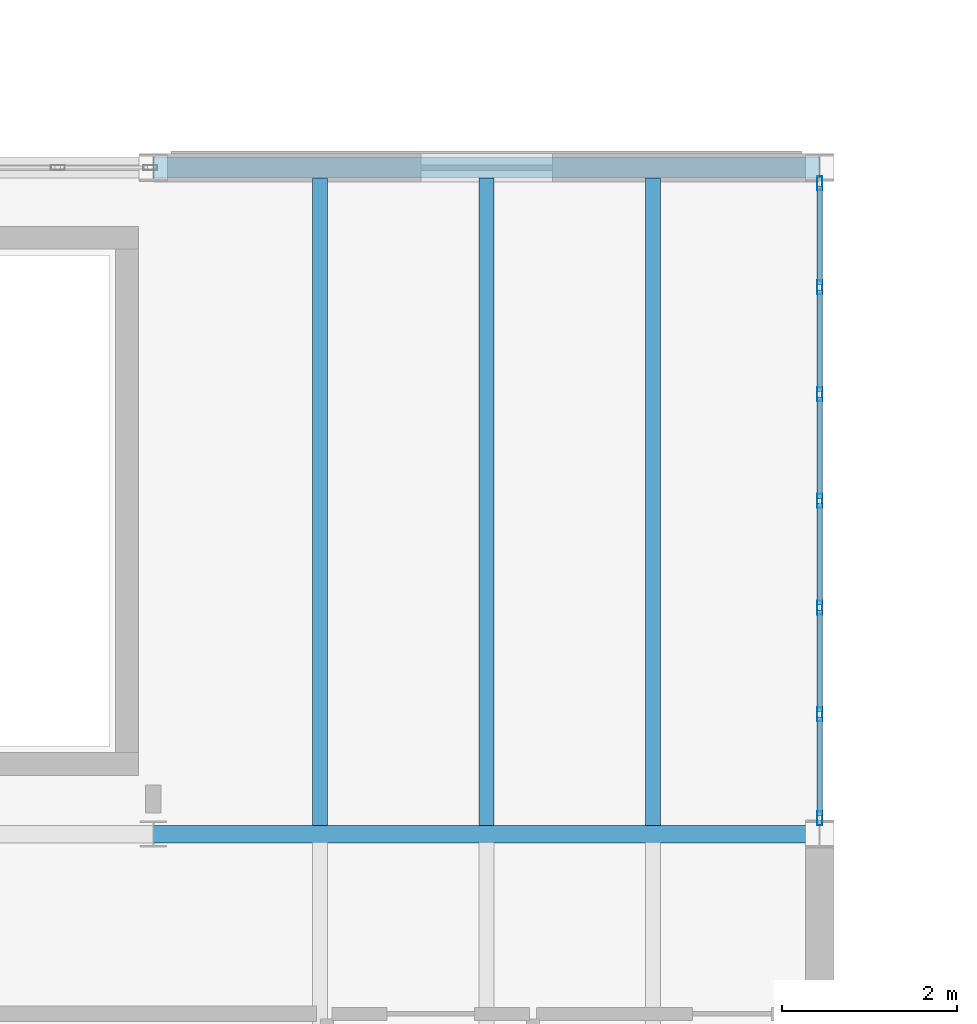
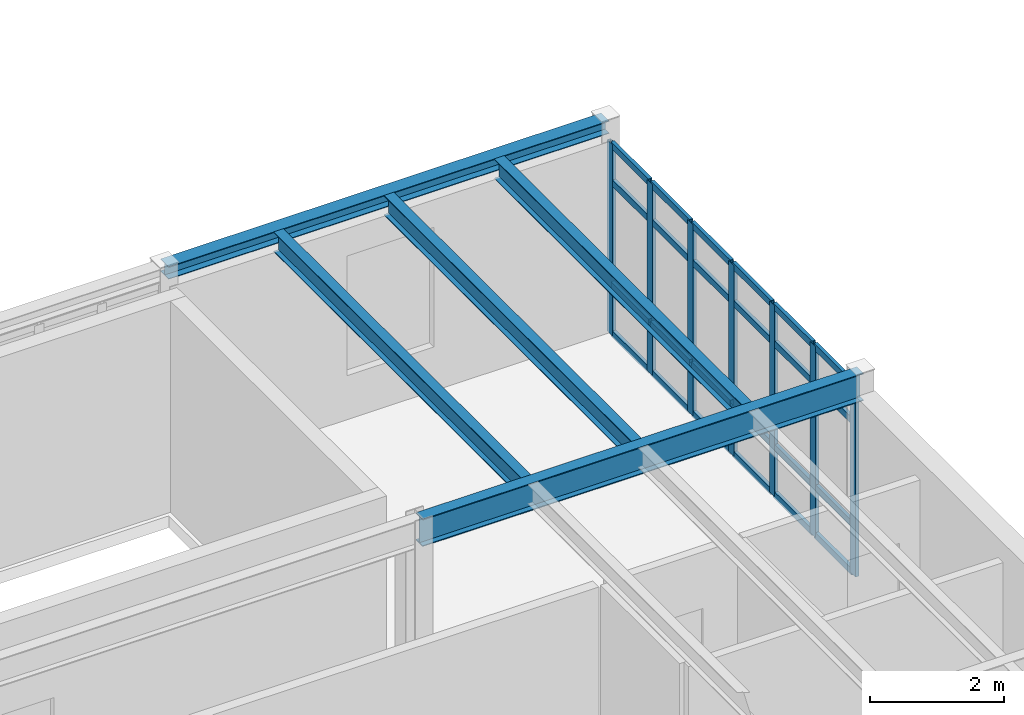
# One storey, part 42 of 114: 31 members, 5 beams, 1 element without a shape of its own.
"""IFC4 building model written with IfcOpenShell, lengths in metres."""

from ifc_helpers import new_model, si_unit, direction, frame, origin, origin_2d, place, context, subcontext, project, spatial, hollow_rectangle, i_section, extrude, material, layer, layer_set, material_profile, profile_set, type_object, element, aggregate, save


model = new_model("IFC4")

# Units and contexts
model_context = context("Model", 3, precision=1e-05, world=origin(), true_north=direction((0.0, 1.0)))
body_context = subcontext(model_context, "Body", "Model", "MODEL_VIEW")
ifc_project = project(units=[si_unit("LENGTHUNIT", "METRE"), si_unit("AREAUNIT", "SQUARE_METRE"), si_unit("VOLUMEUNIT", "CUBIC_METRE"), si_unit("PLANEANGLEUNIT", "RADIAN"), si_unit("MASSUNIT", "GRAM", prefix="KILO")], contexts=[model_context])

# Site, building, storey
site_placement = place(None, origin())
site = spatial("IfcSite", under=ifc_project, at=site_placement, CompositionType="ELEMENT")
building_placement = place(site_placement, origin())
building = spatial("IfcBuilding", under=site, at=building_placement, Name="Montecoro Central Library", CompositionType="ELEMENT")
storey_placement = place(building_placement, frame((0.0, 0.0, 13.260009765625)))
storey = spatial("IfcBuildingStorey", under=building, at=storey_placement, Name="L03", CompositionType="ELEMENT", Elevation=13.260009765625)

# Beams
ifc_material_1 = material(Name="Steel S355", Category="steel")
ifc_material_profile_1 = material_profile(ifc_material_1, i_section(OverallWidth=0.199951171875, OverallDepth=0.5, WebThickness=0.01025390625, FlangeThickness=0.01611328125, at=origin_2d()), Name="IPE 500")
ifc_profile_set_1 = profile_set([ifc_material_profile_1], Name="Steel S355")
beam_type_1 = type_object("IfcBeamType", Name="BM-G-IPE500", PredefinedType="USERDEFINED", material=ifc_profile_set_1)
beam_1_placement = place(storey_placement, frame((35.405029296875, 103.800048828125, 3.574951171875), z_axis=(1.0, 0.0, 0.0), x_axis=(0.0, 1.0, 0.0)))
element("IfcBeam", 1, at=beam_1_placement, inside=storey, type_object=beam_type_1, Name="V4-L03-BX-56-P", ObjectType="GIRDER", PredefinedType="USERDEFINED", context=body_context, shape_type="SweptSolid", body=[
    extrude(i_section(OverallWidth=0.199951171875, OverallDepth=0.5, WebThickness=0.01025390625, FlangeThickness=0.01611328125, at=origin_2d()), origin(), (0.0, 0.0, 1.0), 7.590087890625),
])
ifc_material_profile_2 = material_profile(ifc_material_1, i_section(OverallWidth=0.169921875, OverallDepth=0.360107421875, WebThickness=0.008056640625, FlangeThickness=0.0126953125, at=origin_2d()), Name="IPE 360")
ifc_profile_set_2 = profile_set([ifc_material_profile_2], Name="Steel S355")
beam_type_2 = type_object("IfcBeamType", Name="BM-J-IPE360", PredefinedType="JOIST", material=ifc_profile_set_2)
for number, where, z_axis, x_axis, name in (
    (2, (37.300048828125, 103.89697265625, 3.64501953125), (0.0, 1.0, 0.0), (-1.0, 0.0, 0.0), "V4-L03-JS-56-PQ-1"),
    (3, (39.199951171875, 103.89697265625, 3.64501953125), (0.0, 1.0, 0.0), (-1.0, 0.0, 0.0), "V4-L03-JS-56-PQ-2"),
    (4, (41.10009765625, 103.89697265625, 3.64501953125), (0.0, 1.0, 0.0), (-1.0, 0.0, 0.0), "V4-L03-JS-56-PQ-3"),
):
    element("IfcBeam", number, at=place(storey_placement, frame(where, z_axis=z_axis, x_axis=x_axis)), inside=storey, type_object=beam_type_2, Name=name, PredefinedType="JOIST", context=body_context, shape_type="SweptSolid", body=[
        extrude(i_section(OverallWidth=0.169921875, OverallDepth=0.360107421875, WebThickness=0.008056640625, FlangeThickness=0.0126953125, at=origin_2d()), origin(), (0.0, 0.0, 1.0), 7.385986328125),
    ])
ifc_material_profile_3 = material_profile(ifc_material_1, i_section(OverallWidth=0.239990234375, OverallDepth=0.22998046875, WebThickness=0.007568359375, FlangeThickness=0.011962890625, at=origin_2d()), Name="HEA 240")
ifc_profile_set_3 = profile_set([ifc_material_profile_3], Name="Steel S355")
beam_type_3 = type_object("IfcBeamType", Name="BM-SP-HEA240", PredefinedType="SPANDREL", material=ifc_profile_set_3)
beam_2_placement = place(storey_placement, frame((35.405029296875, 111.39990234375, 3.7099609375), z_axis=(1.0, 0.0, 0.0), x_axis=(0.0, 1.0, 0.0)))
element("IfcBeam", 5, at=beam_2_placement, inside=storey, type_object=beam_type_3, Name="V4-L03-BX-56-Q", PredefinedType="SPANDREL", context=body_context, shape_type="SweptSolid", body=[
    extrude(i_section(OverallWidth=0.239990234375, OverallDepth=0.22998046875, WebThickness=0.007568359375, FlangeThickness=0.011962890625, at=origin_2d()), origin(), (0.0, 0.0, 1.0), 7.590087890625),
])

# Curtain wall, members
ifc_material_2 = material(Name="Bronze-anodised aluminium and low-E glazing", Category="aluminium")
ifc_layer = layer(ifc_material_2, 0.159912109375)
ifc_layer_set = layer_set([ifc_layer], Name="Bronze-anodised aluminium and low-E glazing")
curtain_wall_type = type_object("IfcCurtainWallType", Name="CWT-050", PredefinedType="NOTDEFINED", material=ifc_layer_set)
curtain_wall_placement = place(storey_placement, origin())
curtain_wall = element("IfcCurtainWall", 6, at=curtain_wall_placement, inside=storey, type_object=curtain_wall_type, Name="V4-L03-CW-E3", PredefinedType="NOTDEFINED")
ifc_material_3 = material(Name="Bronze-anodised aluminium", Category="aluminium")
ifc_material_profile_4 = material_profile(ifc_material_3, hollow_rectangle(XDim=0.06005859375, YDim=0.159912109375, WallThickness=0.00390625, at=origin_2d()), Name="CWM 160x60x4.0")
ifc_profile_set_4 = profile_set([ifc_material_profile_4], Name="Bronze-anodised aluminium")
member_type_1 = type_object("IfcMemberType", Name="CWM-BRZ-60", PredefinedType="MULLION", material=ifc_profile_set_4)
member_1_placement = place(storey_placement, frame((43.0, 103.97802734375, 0.0), z_axis=(0.0, 0.0, 1.0), x_axis=(-1.0, 0.0, 0.0)))
member_1 = element("IfcMember", 7, at=member_1_placement, type_object=member_type_1, Name="CW-050 mullion 1", PredefinedType="MULLION", context=body_context, shape_type="SweptSolid", body=[
    extrude(hollow_rectangle(XDim=0.06005859375, YDim=0.159912109375, WallThickness=0.00390625, at=origin_2d()), origin(), (0.0, 0.0, 1.0), 3.47998046875),
])
member_2_placement = place(storey_placement, frame((43.0, 105.165283203125, 0.0), z_axis=(0.0, 0.0, 1.0), x_axis=(-1.0, 0.0, 0.0)))
member_2 = element("IfcMember", 8, at=member_2_placement, type_object=member_type_1, Name="CW-050 mullion 2", PredefinedType="MULLION", context=body_context, shape_type="SweptSolid", body=[
    extrude(hollow_rectangle(XDim=0.06005859375, YDim=0.159912109375, WallThickness=0.00390625, at=origin_2d()), origin(), (0.0, 0.0, 1.0), 3.47998046875),
])
member_3_placement = place(storey_placement, frame((43.0, 106.382568359375, 0.0), z_axis=(0.0, 0.0, 1.0), x_axis=(-1.0, 0.0, 0.0)))
member_3 = element("IfcMember", 9, at=member_3_placement, type_object=member_type_1, Name="CW-050 mullion 3", PredefinedType="MULLION", context=body_context, shape_type="SweptSolid", body=[
    extrude(hollow_rectangle(XDim=0.06005859375, YDim=0.159912109375, WallThickness=0.00390625, at=origin_2d()), origin(), (0.0, 0.0, 1.0), 3.47998046875),
])
member_4_placement = place(storey_placement, frame((43.0, 107.60009765625, 0.0), z_axis=(0.0, 0.0, 1.0), x_axis=(-1.0, 0.0, 0.0)))
member_4 = element("IfcMember", 10, at=member_4_placement, type_object=member_type_1, Name="CW-050 mullion 4", PredefinedType="MULLION", context=body_context, shape_type="SweptSolid", body=[
    extrude(hollow_rectangle(XDim=0.06005859375, YDim=0.159912109375, WallThickness=0.00390625, at=origin_2d()), origin(), (0.0, 0.0, 1.0), 3.47998046875),
])
member_5_placement = place(storey_placement, frame((43.0, 108.8173828125, 0.0), z_axis=(0.0, 0.0, 1.0), x_axis=(-1.0, 0.0, 0.0)))
member_5 = element("IfcMember", 11, at=member_5_placement, type_object=member_type_1, Name="CW-050 mullion 5", PredefinedType="MULLION", context=body_context, shape_type="SweptSolid", body=[
    extrude(hollow_rectangle(XDim=0.06005859375, YDim=0.159912109375, WallThickness=0.00390625, at=origin_2d()), origin(), (0.0, 0.0, 1.0), 3.47998046875),
])
member_6_placement = place(storey_placement, frame((43.0, 110.03466796875, 0.0), z_axis=(0.0, 0.0, 1.0), x_axis=(-1.0, 0.0, 0.0)))
member_6 = element("IfcMember", 12, at=member_6_placement, type_object=member_type_1, Name="CW-050 mullion 6", PredefinedType="MULLION", context=body_context, shape_type="SweptSolid", body=[
    extrude(hollow_rectangle(XDim=0.06005859375, YDim=0.159912109375, WallThickness=0.00390625, at=origin_2d()), origin(), (0.0, 0.0, 1.0), 3.47998046875),
])
member_7_placement = place(storey_placement, frame((43.0, 111.221923828125, 0.0), z_axis=(0.0, 0.0, 1.0), x_axis=(-1.0, 0.0, 0.0)))
member_7 = element("IfcMember", 13, at=member_7_placement, type_object=member_type_1, Name="CW-050 mullion 7", PredefinedType="MULLION", context=body_context, shape_type="SweptSolid", body=[
    extrude(hollow_rectangle(XDim=0.06005859375, YDim=0.159912109375, WallThickness=0.00390625, at=origin_2d()), origin(), (0.0, 0.0, 1.0), 3.47998046875),
])
ifc_material_profile_5 = material_profile(ifc_material_3, hollow_rectangle(XDim=0.06005859375, YDim=0.1201171875, WallThickness=0.00390625, at=origin_2d()), Name="CWT 120x60x4.0")
ifc_profile_set_5 = profile_set([ifc_material_profile_5], Name="Bronze-anodised aluminium")
member_type_2 = type_object("IfcMemberType", Name="CWT-BRZ-60", PredefinedType="USERDEFINED", material=ifc_profile_set_5)
member_8_placement = place(storey_placement, frame((43.0, 104.008056640625, 0.030029296875), z_axis=(0.0, 1.0, 0.0), x_axis=(-1.0, 0.0, 0.0)))
member_8 = element("IfcMember", 14, at=member_8_placement, type_object=member_type_2, Name="CW-050 transom 1.1", ObjectType="TRANSOM", PredefinedType="USERDEFINED", context=body_context, shape_type="SweptSolid", body=[
    extrude(hollow_rectangle(XDim=0.06005859375, YDim=0.1201171875, WallThickness=0.00390625, at=origin_2d()), origin(), (0.0, 0.0, 1.0), 1.127197265625),
])
member_9_placement = place(storey_placement, frame((43.0, 104.008056640625, 0.89990234375), z_axis=(0.0, 1.0, 0.0), x_axis=(-1.0, 0.0, 0.0)))
member_9 = element("IfcMember", 15, at=member_9_placement, type_object=member_type_2, Name="CW-050 transom 1.2", ObjectType="TRANSOM", PredefinedType="USERDEFINED", context=body_context, shape_type="SweptSolid", body=[
    extrude(hollow_rectangle(XDim=0.06005859375, YDim=0.1201171875, WallThickness=0.00390625, at=origin_2d()), origin(), (0.0, 0.0, 1.0), 1.127197265625),
])
member_10_placement = place(storey_placement, frame((43.0, 104.008056640625, 2.780029296875), z_axis=(0.0, 1.0, 0.0), x_axis=(-1.0, 0.0, 0.0)))
member_10 = element("IfcMember", 16, at=member_10_placement, type_object=member_type_2, Name="CW-050 transom 1.3", ObjectType="TRANSOM", PredefinedType="USERDEFINED", context=body_context, shape_type="SweptSolid", body=[
    extrude(hollow_rectangle(XDim=0.06005859375, YDim=0.1201171875, WallThickness=0.00390625, at=origin_2d()), origin(), (0.0, 0.0, 1.0), 1.127197265625),
])
member_11_placement = place(storey_placement, frame((43.0, 104.008056640625, 3.449951171875), z_axis=(0.0, 1.0, 0.0), x_axis=(-1.0, 0.0, 0.0)))
member_11 = element("IfcMember", 17, at=member_11_placement, type_object=member_type_2, Name="CW-050 transom 1.4", ObjectType="TRANSOM", PredefinedType="USERDEFINED", context=body_context, shape_type="SweptSolid", body=[
    extrude(hollow_rectangle(XDim=0.06005859375, YDim=0.1201171875, WallThickness=0.00390625, at=origin_2d()), origin(), (0.0, 0.0, 1.0), 1.127197265625),
])
member_12_placement = place(storey_placement, frame((43.0, 105.1953125, 0.030029296875), z_axis=(0.0, 1.0, 0.0), x_axis=(-1.0, 0.0, 0.0)))
member_12 = element("IfcMember", 18, at=member_12_placement, type_object=member_type_2, Name="CW-050 transom 2.1", ObjectType="TRANSOM", PredefinedType="USERDEFINED", context=body_context, shape_type="SweptSolid", body=[
    extrude(hollow_rectangle(XDim=0.06005859375, YDim=0.1201171875, WallThickness=0.00390625, at=origin_2d()), origin(), (0.0, 0.0, 1.0), 1.157470703125),
])
member_13_placement = place(storey_placement, frame((43.0, 105.1953125, 0.89990234375), z_axis=(0.0, 1.0, 0.0), x_axis=(-1.0, 0.0, 0.0)))
member_13 = element("IfcMember", 19, at=member_13_placement, type_object=member_type_2, Name="CW-050 transom 2.2", ObjectType="TRANSOM", PredefinedType="USERDEFINED", context=body_context, shape_type="SweptSolid", body=[
    extrude(hollow_rectangle(XDim=0.06005859375, YDim=0.1201171875, WallThickness=0.00390625, at=origin_2d()), origin(), (0.0, 0.0, 1.0), 1.157470703125),
])
member_14_placement = place(storey_placement, frame((43.0, 105.1953125, 2.780029296875), z_axis=(0.0, 1.0, 0.0), x_axis=(-1.0, 0.0, 0.0)))
member_14 = element("IfcMember", 20, at=member_14_placement, type_object=member_type_2, Name="CW-050 transom 2.3", ObjectType="TRANSOM", PredefinedType="USERDEFINED", context=body_context, shape_type="SweptSolid", body=[
    extrude(hollow_rectangle(XDim=0.06005859375, YDim=0.1201171875, WallThickness=0.00390625, at=origin_2d()), origin(), (0.0, 0.0, 1.0), 1.157470703125),
])
member_15_placement = place(storey_placement, frame((43.0, 105.1953125, 3.449951171875), z_axis=(0.0, 1.0, 0.0), x_axis=(-1.0, 0.0, 0.0)))
member_15 = element("IfcMember", 21, at=member_15_placement, type_object=member_type_2, Name="CW-050 transom 2.4", ObjectType="TRANSOM", PredefinedType="USERDEFINED", context=body_context, shape_type="SweptSolid", body=[
    extrude(hollow_rectangle(XDim=0.06005859375, YDim=0.1201171875, WallThickness=0.00390625, at=origin_2d()), origin(), (0.0, 0.0, 1.0), 1.157470703125),
])
member_16_placement = place(storey_placement, frame((43.0, 106.41259765625, 0.030029296875), z_axis=(0.0, 1.0, 0.0), x_axis=(-1.0, 0.0, 0.0)))
member_16 = element("IfcMember", 22, at=member_16_placement, type_object=member_type_2, Name="CW-050 transom 3.1", ObjectType="TRANSOM", PredefinedType="USERDEFINED", context=body_context, shape_type="SweptSolid", body=[
    extrude(hollow_rectangle(XDim=0.06005859375, YDim=0.1201171875, WallThickness=0.00390625, at=origin_2d()), origin(), (0.0, 0.0, 1.0), 1.157470703125),
])
member_17_placement = place(storey_placement, frame((43.0, 106.41259765625, 0.89990234375), z_axis=(0.0, 1.0, 0.0), x_axis=(-1.0, 0.0, 0.0)))
member_17 = element("IfcMember", 23, at=member_17_placement, type_object=member_type_2, Name="CW-050 transom 3.2", ObjectType="TRANSOM", PredefinedType="USERDEFINED", context=body_context, shape_type="SweptSolid", body=[
    extrude(hollow_rectangle(XDim=0.06005859375, YDim=0.1201171875, WallThickness=0.00390625, at=origin_2d()), origin(), (0.0, 0.0, 1.0), 1.157470703125),
])
member_18_placement = place(storey_placement, frame((43.0, 106.41259765625, 2.780029296875), z_axis=(0.0, 1.0, 0.0), x_axis=(-1.0, 0.0, 0.0)))
member_18 = element("IfcMember", 24, at=member_18_placement, type_object=member_type_2, Name="CW-050 transom 3.3", ObjectType="TRANSOM", PredefinedType="USERDEFINED", context=body_context, shape_type="SweptSolid", body=[
    extrude(hollow_rectangle(XDim=0.06005859375, YDim=0.1201171875, WallThickness=0.00390625, at=origin_2d()), origin(), (0.0, 0.0, 1.0), 1.157470703125),
])
member_19_placement = place(storey_placement, frame((43.0, 106.41259765625, 3.449951171875), z_axis=(0.0, 1.0, 0.0), x_axis=(-1.0, 0.0, 0.0)))
member_19 = element("IfcMember", 25, at=member_19_placement, type_object=member_type_2, Name="CW-050 transom 3.4", ObjectType="TRANSOM", PredefinedType="USERDEFINED", context=body_context, shape_type="SweptSolid", body=[
    extrude(hollow_rectangle(XDim=0.06005859375, YDim=0.1201171875, WallThickness=0.00390625, at=origin_2d()), origin(), (0.0, 0.0, 1.0), 1.157470703125),
])
member_20_placement = place(storey_placement, frame((43.0, 107.6298828125, 0.030029296875), z_axis=(0.0, 1.0, 0.0), x_axis=(-1.0, 0.0, 0.0)))
member_20 = element("IfcMember", 26, at=member_20_placement, type_object=member_type_2, Name="CW-050 transom 4.1", ObjectType="TRANSOM", PredefinedType="USERDEFINED", context=body_context, shape_type="SweptSolid", body=[
    extrude(hollow_rectangle(XDim=0.06005859375, YDim=0.1201171875, WallThickness=0.00390625, at=origin_2d()), origin(), (0.0, 0.0, 1.0), 1.157470703125),
])
member_21_placement = place(storey_placement, frame((43.0, 107.6298828125, 0.89990234375), z_axis=(0.0, 1.0, 0.0), x_axis=(-1.0, 0.0, 0.0)))
member_21 = element("IfcMember", 27, at=member_21_placement, type_object=member_type_2, Name="CW-050 transom 4.2", ObjectType="TRANSOM", PredefinedType="USERDEFINED", context=body_context, shape_type="SweptSolid", body=[
    extrude(hollow_rectangle(XDim=0.06005859375, YDim=0.1201171875, WallThickness=0.00390625, at=origin_2d()), origin(), (0.0, 0.0, 1.0), 1.157470703125),
])
member_22_placement = place(storey_placement, frame((43.0, 107.6298828125, 2.780029296875), z_axis=(0.0, 1.0, 0.0), x_axis=(-1.0, 0.0, 0.0)))
member_22 = element("IfcMember", 28, at=member_22_placement, type_object=member_type_2, Name="CW-050 transom 4.3", ObjectType="TRANSOM", PredefinedType="USERDEFINED", context=body_context, shape_type="SweptSolid", body=[
    extrude(hollow_rectangle(XDim=0.06005859375, YDim=0.1201171875, WallThickness=0.00390625, at=origin_2d()), origin(), (0.0, 0.0, 1.0), 1.157470703125),
])
member_23_placement = place(storey_placement, frame((43.0, 107.6298828125, 3.449951171875), z_axis=(0.0, 1.0, 0.0), x_axis=(-1.0, 0.0, 0.0)))
member_23 = element("IfcMember", 29, at=member_23_placement, type_object=member_type_2, Name="CW-050 transom 4.4", ObjectType="TRANSOM", PredefinedType="USERDEFINED", context=body_context, shape_type="SweptSolid", body=[
    extrude(hollow_rectangle(XDim=0.06005859375, YDim=0.1201171875, WallThickness=0.00390625, at=origin_2d()), origin(), (0.0, 0.0, 1.0), 1.157470703125),
])
member_24_placement = place(storey_placement, frame((43.0, 108.847412109375, 0.030029296875), z_axis=(0.0, 1.0, 0.0), x_axis=(-1.0, 0.0, 0.0)))
member_24 = element("IfcMember", 30, at=member_24_placement, type_object=member_type_2, Name="CW-050 transom 5.1", ObjectType="TRANSOM", PredefinedType="USERDEFINED", context=body_context, shape_type="SweptSolid", body=[
    extrude(hollow_rectangle(XDim=0.06005859375, YDim=0.1201171875, WallThickness=0.00390625, at=origin_2d()), origin(), (0.0, 0.0, 1.0), 1.1572265625),
])
member_25_placement = place(storey_placement, frame((43.0, 108.847412109375, 0.89990234375), z_axis=(0.0, 1.0, 0.0), x_axis=(-1.0, 0.0, 0.0)))
member_25 = element("IfcMember", 31, at=member_25_placement, type_object=member_type_2, Name="CW-050 transom 5.2", ObjectType="TRANSOM", PredefinedType="USERDEFINED", context=body_context, shape_type="SweptSolid", body=[
    extrude(hollow_rectangle(XDim=0.06005859375, YDim=0.1201171875, WallThickness=0.00390625, at=origin_2d()), origin(), (0.0, 0.0, 1.0), 1.1572265625),
])
member_26_placement = place(storey_placement, frame((43.0, 108.847412109375, 2.780029296875), z_axis=(0.0, 1.0, 0.0), x_axis=(-1.0, 0.0, 0.0)))
member_26 = element("IfcMember", 32, at=member_26_placement, type_object=member_type_2, Name="CW-050 transom 5.3", ObjectType="TRANSOM", PredefinedType="USERDEFINED", context=body_context, shape_type="SweptSolid", body=[
    extrude(hollow_rectangle(XDim=0.06005859375, YDim=0.1201171875, WallThickness=0.00390625, at=origin_2d()), origin(), (0.0, 0.0, 1.0), 1.1572265625),
])
member_27_placement = place(storey_placement, frame((43.0, 108.847412109375, 3.449951171875), z_axis=(0.0, 1.0, 0.0), x_axis=(-1.0, 0.0, 0.0)))
member_27 = element("IfcMember", 33, at=member_27_placement, type_object=member_type_2, Name="CW-050 transom 5.4", ObjectType="TRANSOM", PredefinedType="USERDEFINED", context=body_context, shape_type="SweptSolid", body=[
    extrude(hollow_rectangle(XDim=0.06005859375, YDim=0.1201171875, WallThickness=0.00390625, at=origin_2d()), origin(), (0.0, 0.0, 1.0), 1.1572265625),
])
member_28_placement = place(storey_placement, frame((43.0, 110.064697265625, 0.030029296875), z_axis=(0.0, 1.0, 0.0), x_axis=(-1.0, 0.0, 0.0)))
member_28 = element("IfcMember", 34, at=member_28_placement, type_object=member_type_2, Name="CW-050 transom 6.1", ObjectType="TRANSOM", PredefinedType="USERDEFINED", context=body_context, shape_type="SweptSolid", body=[
    extrude(hollow_rectangle(XDim=0.06005859375, YDim=0.1201171875, WallThickness=0.00390625, at=origin_2d()), origin(), (0.0, 0.0, 1.0), 1.127197265625),
])
member_29_placement = place(storey_placement, frame((43.0, 110.064697265625, 0.89990234375), z_axis=(0.0, 1.0, 0.0), x_axis=(-1.0, 0.0, 0.0)))
member_29 = element("IfcMember", 35, at=member_29_placement, type_object=member_type_2, Name="CW-050 transom 6.2", ObjectType="TRANSOM", PredefinedType="USERDEFINED", context=body_context, shape_type="SweptSolid", body=[
    extrude(hollow_rectangle(XDim=0.06005859375, YDim=0.1201171875, WallThickness=0.00390625, at=origin_2d()), origin(), (0.0, 0.0, 1.0), 1.127197265625),
])
member_30_placement = place(storey_placement, frame((43.0, 110.064697265625, 2.780029296875), z_axis=(0.0, 1.0, 0.0), x_axis=(-1.0, 0.0, 0.0)))
member_30 = element("IfcMember", 36, at=member_30_placement, type_object=member_type_2, Name="CW-050 transom 6.3", ObjectType="TRANSOM", PredefinedType="USERDEFINED", context=body_context, shape_type="SweptSolid", body=[
    extrude(hollow_rectangle(XDim=0.06005859375, YDim=0.1201171875, WallThickness=0.00390625, at=origin_2d()), origin(), (0.0, 0.0, 1.0), 1.127197265625),
])
member_31_placement = place(storey_placement, frame((43.0, 110.064697265625, 3.449951171875), z_axis=(0.0, 1.0, 0.0), x_axis=(-1.0, 0.0, 0.0)))
member_31 = element("IfcMember", 37, at=member_31_placement, type_object=member_type_2, Name="CW-050 transom 6.4", ObjectType="TRANSOM", PredefinedType="USERDEFINED", context=body_context, shape_type="SweptSolid", body=[
    extrude(hollow_rectangle(XDim=0.06005859375, YDim=0.1201171875, WallThickness=0.00390625, at=origin_2d()), origin(), (0.0, 0.0, 1.0), 1.127197265625),
])
aggregate(curtain_wall, [member_1, member_2, member_3, member_4, member_5, member_6, member_7, member_8, member_9, member_10, member_11, member_12, member_13, member_14, member_15, member_16, member_17, member_18, member_19, member_20, member_21, member_22, member_23, member_24, member_25, member_26, member_27, member_28, member_29, member_30, member_31])

save(model, "model.ifc")
